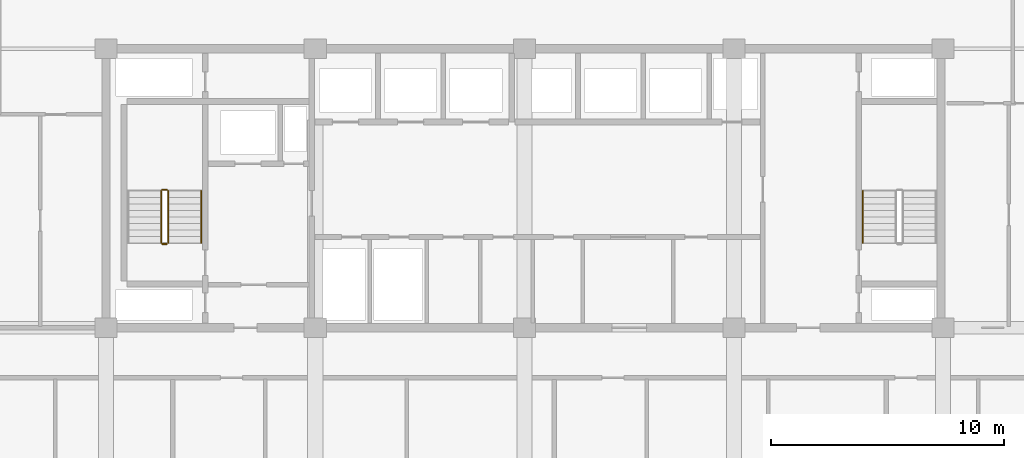
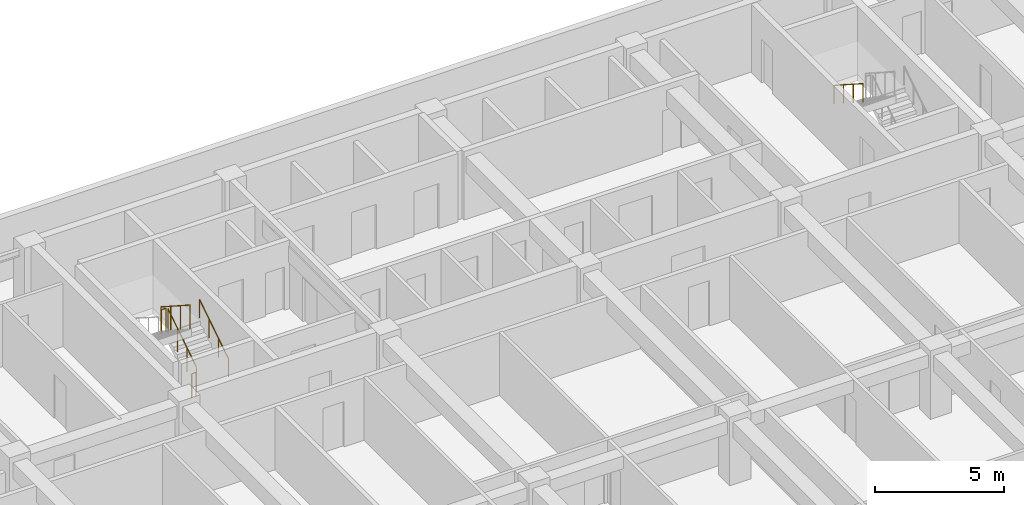
# One storey, part 20 of 23: 6 railings.
"""IFC4 building model written with IfcOpenShell, lengths in metres."""

from ifc_helpers import new_model, si_unit, direction, frame, origin, origin_2d, place, context, subcontext, project, spatial, circle, extrude, material, type_object, element, save


model = new_model("IFC4")

# Units and contexts
model_context = context("Model", 3, precision=1e-05, world=origin(), true_north=direction((0.0, 1.0)))
body_context = subcontext(model_context, "Body", "Model", "MODEL_VIEW")
ifc_project = project(units=[si_unit("LENGTHUNIT", "METRE"), si_unit("AREAUNIT", "SQUARE_METRE"), si_unit("VOLUMEUNIT", "CUBIC_METRE"), si_unit("PLANEANGLEUNIT", "RADIAN"), si_unit("MASSUNIT", "GRAM", prefix="KILO")], contexts=[model_context])

# Site, building, storey
site_placement = place(None, origin())
site = spatial("IfcSite", under=ifc_project, at=site_placement, CompositionType="ELEMENT")
building_placement = place(site_placement, origin())
building = spatial("IfcBuilding", under=site, at=building_placement, Name="Korimba Cascade Residences", CompositionType="ELEMENT")
storey_placement = place(building_placement, frame((0.0, 0.0, 37.0)))
storey = spatial("IfcBuildingStorey", under=building, at=storey_placement, Name="L09", CompositionType="ELEMENT", Elevation=37.0)

# Railings
ifc_material_1 = material(Name="Painted Steel Stairwell Guardrail", Category="steel")
railing_type_1 = type_object("IfcRailingType", Name="RLG-ST-GD1150", PredefinedType="GUARDRAIL", material=ifc_material_1)
railing_1_placement = place(storey_placement, frame((84.77001953125, 22.050048828125, 0.1806640625)))
element("IfcRailing", 1, at=railing_1_placement, inside=storey, type_object=railing_type_1, Name="L09 ST-E1 stair guard 1", PredefinedType="GUARDRAIL", context=body_context, shape_type="SweptSolid", body=[
    extrude(circle(Radius=0.02392578125, at=origin_2d()), frame((0.0, 0.0, 1.1259765625), z_axis=(0.0, 0.840436612492, 0.541909863706), x_axis=(-1.0, 0.0, 0.0)), (0.0, 0.0, 1.0), 2.665283203125),
    extrude(circle(Radius=0.02099609375, at=origin_2d()), origin(), (0.0, 0.0, 1.0), 1.101806640625),
    extrude(circle(Radius=0.02099609375, at=origin_2d()), frame((0.0, 0.74658203125, 0.4814453125)), (0.0, 0.0, 1.0), 1.101806640625),
    extrude(circle(Radius=0.02099609375, at=origin_2d()), frame((0.0, 1.493408203125, 0.962890625)), (0.0, 0.0, 1.0), 1.101806640625),
    extrude(circle(Radius=0.02099609375, at=origin_2d()), frame((0.0, 2.239990234375, 1.4443359375)), (0.0, 0.0, 1.0), 1.101806640625),
])
railing_2_placement = place(storey_placement, frame((84.719970703125, 24.340087890625, 1.625)))
element("IfcRailing", 2, at=railing_2_placement, inside=storey, type_object=railing_type_1, Name="L09 ST-E1 stair guard 2", PredefinedType="GUARDRAIL", context=body_context, shape_type="SweptSolid", body=[
    extrude(circle(Radius=0.02392578125, at=origin_2d()), frame((0.0, 0.0, 1.1259765625), z_axis=(-1.0, 0.0, 0.0), x_axis=(0.0, -1.0, 0.0)), (0.0, 0.0, 1.0), 0.199951171875),
    extrude(circle(Radius=0.02099609375, at=origin_2d()), origin(), (0.0, 0.0, 1.0), 1.101806640625),
    extrude(circle(Radius=0.02099609375, at=origin_2d()), frame((-0.199951171875, 0.0, 0.0)), (0.0, 0.0, 1.0), 1.101806640625),
])
railing_3_placement = place(storey_placement, frame((84.469970703125, 24.2900390625, 1.8056640625)))
element("IfcRailing", 3, at=railing_3_placement, inside=storey, type_object=railing_type_1, Name="L09 ST-E1 stair guard 3", PredefinedType="GUARDRAIL", context=body_context, shape_type="SweptSolid", body=[
    extrude(circle(Radius=0.02392578125, at=origin_2d()), frame((0.0, 0.0, 1.1259765625), z_axis=(0.0, -0.840436612492, 0.541909863706), x_axis=(1.0, 0.0, 0.0)), (0.0, 0.0, 1.0), 2.665283203125),
    extrude(circle(Radius=0.02099609375, at=origin_2d()), origin(), (0.0, 0.0, 1.0), 1.101806640625),
    extrude(circle(Radius=0.02099609375, at=origin_2d()), frame((0.0, -0.74658203125, 0.4814453125)), (0.0, 0.0, 1.0), 1.101806640625),
    extrude(circle(Radius=0.02099609375, at=origin_2d()), frame((0.0, -1.493408203125, 0.962890625)), (0.0, 0.0, 1.0), 1.101806640625),
    extrude(circle(Radius=0.02099609375, at=origin_2d()), frame((0.0, -2.239990234375, 1.4443359375)), (0.0, 0.0, 1.0), 1.101806640625),
])
railing_4_placement = place(storey_placement, frame((84.719970703125, 22.0, 0.0)))
element("IfcRailing", 4, at=railing_4_placement, inside=storey, type_object=railing_type_1, Name="L09 ST-E1 stair guard 4", PredefinedType="GUARDRAIL", context=body_context, shape_type="SweptSolid", body=[
    extrude(circle(Radius=0.02392578125, at=origin_2d()), frame((0.0, 0.0, 1.1259765625), z_axis=(-1.0, 0.0, 0.0), x_axis=(0.0, -1.0, 0.0)), (0.0, 0.0, 1.0), 0.199951171875),
    extrude(circle(Radius=0.02099609375, at=origin_2d()), origin(), (0.0, 0.0, 1.0), 1.101806640625),
    extrude(circle(Radius=0.02099609375, at=origin_2d()), frame((-0.199951171875, 0.0, 0.0)), (0.0, 0.0, 1.0), 1.101806640625),
])
ifc_material_2 = material(Name="Brushed Stainless Steel Handrail", Category="steel")
railing_type_2 = type_object("IfcRailingType", Name="RLG-ST-HR900", PredefinedType="HANDRAIL", material=ifc_material_2)
railing_5_placement = place(storey_placement, frame((86.18994140625, 22.050048828125, 0.364990234375)))
element("IfcRailing", 5, at=railing_5_placement, inside=storey, type_object=railing_type_2, Name="L09 ST-E1 stair handrail 1", PredefinedType="HANDRAIL", context=body_context, shape_type="SweptSolid", body=[
    extrude(circle(Radius=0.02392578125, at=origin_2d()), frame((0.0, 0.0, 0.8759765625), z_axis=(0.0, 0.840436612492, 0.541909863706), x_axis=(-1.0, 0.0, 0.0)), (0.0, 0.0, 1.0), 2.665283203125),
    extrude(circle(Radius=0.02099609375, at=origin_2d()), origin(), (0.0, 0.0, 1.0), 0.851806640625),
    extrude(circle(Radius=0.02099609375, at=origin_2d()), frame((0.0, 0.74658203125, 0.4814453125)), (0.0, 0.0, 1.0), 0.851806640625),
    extrude(circle(Radius=0.02099609375, at=origin_2d()), frame((0.0, 1.493408203125, 0.962890625)), (0.0, 0.0, 1.0), 0.851806640625),
    extrude(circle(Radius=0.02099609375, at=origin_2d()), frame((0.0, 2.239990234375, 1.4443359375)), (0.0, 0.0, 1.0), 0.851806640625),
])
railing_6_placement = place(storey_placement, frame((114.64990234375, 24.2900390625, 1.989990234375)))
element("IfcRailing", 6, at=railing_6_placement, inside=storey, type_object=railing_type_2, Name="L09 ST-E2 stair handrail 2", PredefinedType="HANDRAIL", context=body_context, shape_type="SweptSolid", body=[
    extrude(circle(Radius=0.02392578125, at=origin_2d()), frame((0.0, 0.0, 0.8759765625), z_axis=(0.0, -0.840436612492, 0.541909863706), x_axis=(1.0, 0.0, 0.0)), (0.0, 0.0, 1.0), 2.665283203125),
    extrude(circle(Radius=0.02099609375, at=origin_2d()), origin(), (0.0, 0.0, 1.0), 0.851806640625),
    extrude(circle(Radius=0.02099609375, at=origin_2d()), frame((0.0, -0.74658203125, 0.4814453125)), (0.0, 0.0, 1.0), 0.851806640625),
    extrude(circle(Radius=0.02099609375, at=origin_2d()), frame((0.0, -1.493408203125, 0.962890625)), (0.0, 0.0, 1.0), 0.851806640625),
    extrude(circle(Radius=0.02099609375, at=origin_2d()), frame((0.0, -2.239990234375, 1.4443359375)), (0.0, 0.0, 1.0), 0.851806640625),
])

save(model, "model.ifc")
